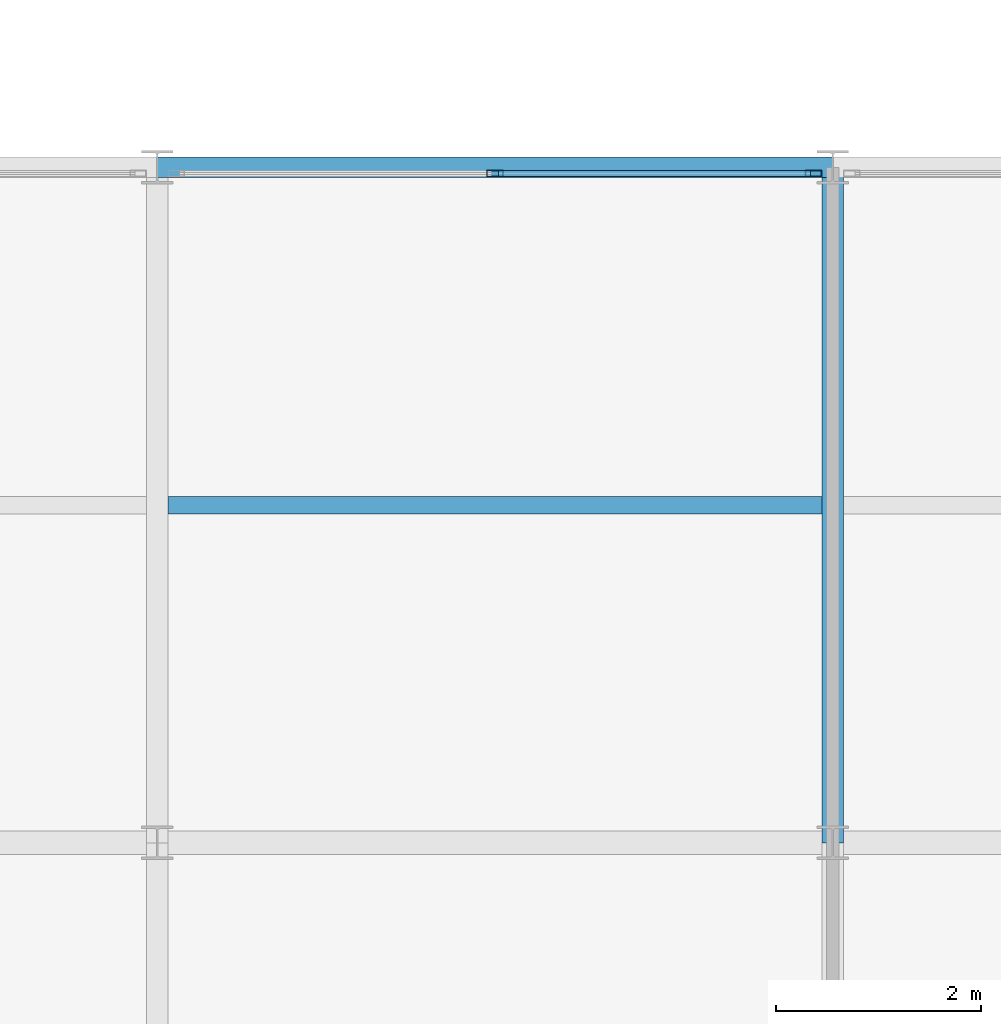
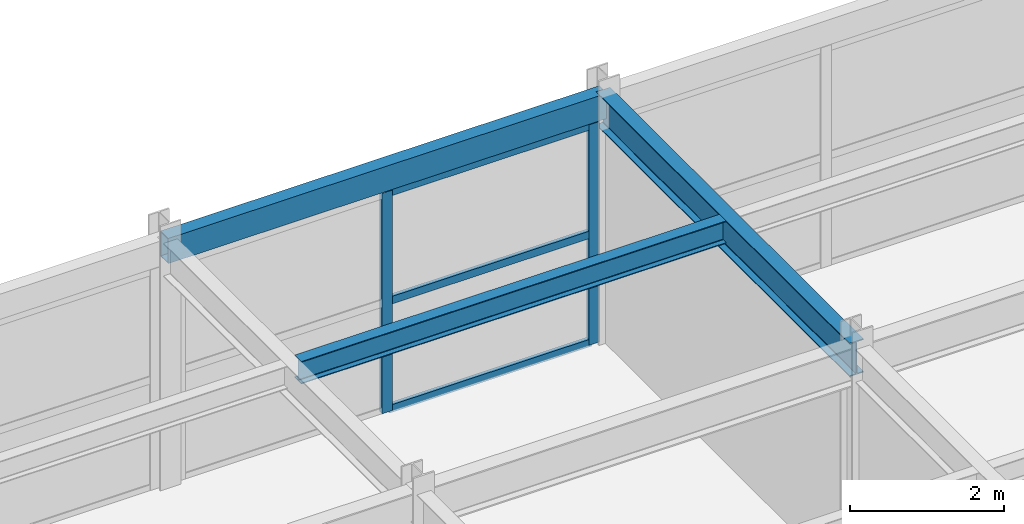
# One storey, part 87 of 134: 5 members, 3 beams, 1 element without a shape of its own.
"""IFC4 building model written with IfcOpenShell, lengths in metres."""

from ifc_helpers import new_model, si_unit, direction, frame, origin, origin_2d, place, context, subcontext, project, spatial, hollow_rectangle, i_section, extrude, material, material_profile, profile_set, type_object, element, aggregate, save


model = new_model("IFC4")

# Units and contexts
model_context = context("Model", 3, precision=1e-05, world=origin(), true_north=direction((0.0, 1.0)))
body_context = subcontext(model_context, "Body", "Model", "MODEL_VIEW")
ifc_project = project(units=[si_unit("LENGTHUNIT", "METRE"), si_unit("AREAUNIT", "SQUARE_METRE"), si_unit("VOLUMEUNIT", "CUBIC_METRE"), si_unit("PLANEANGLEUNIT", "RADIAN"), si_unit("MASSUNIT", "GRAM", prefix="KILO")], contexts=[model_context])

# Site, building, storey
site_placement = place(None, origin())
site = spatial("IfcSite", under=ifc_project, at=site_placement, CompositionType="ELEMENT")
building_placement = place(site_placement, origin())
building = spatial("IfcBuilding", under=site, at=building_placement, Name="Karori Crest Natural Sciences Institute", CompositionType="ELEMENT")
storey_placement = place(building_placement, frame((0.0, 0.0, 21.699951171875)))
storey = spatial("IfcBuildingStorey", under=building, at=storey_placement, Name="L05", CompositionType="ELEMENT", Elevation=21.699951171875)

# Beams
ifc_material_1 = material(Name="Structural steel AS/NZS 3679.1 Grade 350", Category="steel")
ifc_material_profile_1 = material_profile(ifc_material_1, i_section(OverallWidth=0.208984375, OverallDepth=0.532958984375, WebThickness=0.01025390625, FlangeThickness=0.015625, FilletRadius=0.013916015625, at=origin_2d()), Name="530UB92.4")
ifc_profile_set_1 = profile_set([ifc_material_profile_1], Name="Structural steel AS/NZS 3679.1 Grade 350")
beam_type_1 = type_object("IfcBeamType", Name="BT-05", PredefinedType="BEAM", material=ifc_profile_set_1)
beam_1_placement = place(storey_placement, frame((149.800048828125, 14.0, 3.653564453125), z_axis=(0.0, 1.0, 0.0), x_axis=(-1.0, 0.0, 0.0)))
element("IfcBeam", 1, at=beam_1_placement, inside=storey, type_object=beam_type_1, Name="Beam B-2511", PredefinedType="BEAM", context=body_context, shape_type="SweptSolid", body=[
    extrude(i_section(OverallWidth=0.208984375, OverallDepth=0.532958984375, WebThickness=0.01025390625, FlangeThickness=0.015625, FilletRadius=0.013916015625, at=origin_2d()), origin(), (0.0, 0.0, 1.0), 6.60009765625),
])
ifc_material_profile_2 = material_profile(ifc_material_1, i_section(OverallWidth=0.172119140625, OverallDepth=0.35888671875, WebThickness=0.008056640625, FlangeThickness=0.012939453125, FilletRadius=0.010986328125, at=origin_2d()), Name="360UB56.7")
ifc_profile_set_2 = profile_set([ifc_material_profile_2], Name="Structural steel AS/NZS 3679.1 Grade 350")
beam_type_2 = type_object("IfcBeamType", Name="BT-08", PredefinedType="BEAM", material=ifc_profile_set_2)
beam_2_placement = place(storey_placement, frame((143.304443359375, 17.300048828125, 3.740478515625), z_axis=(1.0, 0.0, 0.0), x_axis=(0.0, 1.0, 0.0)))
element("IfcBeam", 2, at=beam_2_placement, inside=storey, type_object=beam_type_2, Name="Beam B-2534", PredefinedType="BEAM", context=body_context, shape_type="SweptSolid", body=[
    extrude(i_section(OverallWidth=0.172119140625, OverallDepth=0.35888671875, WebThickness=0.008056640625, FlangeThickness=0.012939453125, FilletRadius=0.010986328125, at=origin_2d()), origin(), (0.0, 0.0, 1.0), 6.39111328125),
])
ifc_material_2 = material(Name="Hollow structural steel AS/NZS 1163 Grade C350", Category="steel")
ifc_material_profile_3 = material_profile(ifc_material_2, hollow_rectangle(XDim=0.199951171875, YDim=0.39990234375, WallThickness=0.012451171875, at=origin_2d()), Name="RHS400x200x12.5")
ifc_profile_set_3 = profile_set([ifc_material_profile_3], Name="Hollow structural steel AS/NZS 1163 Grade C350")
beam_type_3 = type_object("IfcBeamType", Name="BT-14", PredefinedType="SPANDREL", material=ifc_profile_set_3)
beam_3_placement = place(storey_placement, frame((143.199951171875, 20.60009765625, 3.719970703125), z_axis=(1.0, 0.0, 0.0), x_axis=(0.0, 1.0, 0.0)))
element("IfcBeam", 3, at=beam_3_placement, inside=storey, type_object=beam_type_3, Name="Beam B-2485", PredefinedType="SPANDREL", context=body_context, shape_type="SweptSolid", body=[
    extrude(hollow_rectangle(XDim=0.199951171875, YDim=0.39990234375, WallThickness=0.012451171875, at=origin_2d()), origin(), (0.0, 0.0, 1.0), 6.60009765625),
])

# Curtain wall, members
ifc_material_3 = material(Name="Anodised architectural aluminium 6063-T6", Category="aluminium")
curtain_wall_type = type_object("IfcCurtainWallType", Name="CWT-20", PredefinedType="NOTDEFINED", material=ifc_material_3)
curtain_wall_placement = place(storey_placement, origin())
curtain_wall = element("IfcCurtainWall", 4, at=curtain_wall_placement, inside=storey, type_object=curtain_wall_type, Name="Curtain wall CW-0346", PredefinedType="NOTDEFINED")
ifc_material_profile_4 = material_profile(ifc_material_3, hollow_rectangle(XDim=0.06494140625, YDim=0.159912109375, WallThickness=0.00390625, at=origin_2d()), Name="CWM160x65x4")
ifc_profile_set_4 = profile_set([ifc_material_profile_4], Name="Anodised architectural aluminium 6063-T6")
member_type_1 = type_object("IfcMemberType", Name="CWM-01", PredefinedType="MULLION", material=ifc_profile_set_4)
member_1_placement = place(storey_placement, frame((146.5, 20.5400390625, 0.0), z_axis=(0.0, 0.0, 1.0), x_axis=(0.0, 1.0, 0.0)))
member_1 = element("IfcMember", 5, at=member_1_placement, type_object=member_type_1, Name="CW-0346 mullion 2", PredefinedType="MULLION", context=body_context, shape_type="SweptSolid", body=[
    extrude(hollow_rectangle(XDim=0.06494140625, YDim=0.159912109375, WallThickness=0.00390625, at=origin_2d()), origin(), (0.0, 0.0, 1.0), 3.505126953125),
])
member_2_placement = place(storey_placement, frame((149.614013671875, 20.5400390625, 0.0), z_axis=(0.0, 0.0, 1.0), x_axis=(0.0, 1.0, 0.0)))
member_2 = element("IfcMember", 6, at=member_2_placement, type_object=member_type_1, Name="CW-0346 mullion 3", PredefinedType="MULLION", context=body_context, shape_type="SweptSolid", body=[
    extrude(hollow_rectangle(XDim=0.06494140625, YDim=0.159912109375, WallThickness=0.00390625, at=origin_2d()), origin(), (0.0, 0.0, 1.0), 3.505126953125),
])
ifc_material_profile_5 = material_profile(ifc_material_3, hollow_rectangle(XDim=0.06005859375, YDim=0.1201171875, WallThickness=0.00390625, at=origin_2d()), Name="CWT120x60x4")
ifc_profile_set_5 = profile_set([ifc_material_profile_5], Name="Anodised architectural aluminium 6063-T6")
member_type_2 = type_object("IfcMemberType", Name="CWT-TR1", PredefinedType="USERDEFINED", material=ifc_profile_set_5)
member_3_placement = place(storey_placement, frame((146.532470703125, 20.5400390625, 0.030029296875), z_axis=(1.0, 0.0, 0.0), x_axis=(0.0, 1.0, 0.0)))
member_3 = element("IfcMember", 7, at=member_3_placement, type_object=member_type_2, Name="CW-0346 transom 2.1", ObjectType="TRANSOM", PredefinedType="USERDEFINED", context=body_context, shape_type="SweptSolid", body=[
    extrude(hollow_rectangle(XDim=0.06005859375, YDim=0.1201171875, WallThickness=0.00390625, at=origin_2d()), origin(), (0.0, 0.0, 1.0), 3.049072265625),
])
member_4_placement = place(storey_placement, frame((146.532470703125, 20.5400390625, 1.75244140625), z_axis=(1.0, 0.0, 0.0), x_axis=(0.0, 1.0, 0.0)))
member_4 = element("IfcMember", 8, at=member_4_placement, type_object=member_type_2, Name="CW-0346 transom 2.2", ObjectType="TRANSOM", PredefinedType="USERDEFINED", context=body_context, shape_type="SweptSolid", body=[
    extrude(hollow_rectangle(XDim=0.06005859375, YDim=0.1201171875, WallThickness=0.00390625, at=origin_2d()), origin(), (0.0, 0.0, 1.0), 3.049072265625),
])
member_5_placement = place(storey_placement, frame((146.532470703125, 20.5400390625, 3.47509765625), z_axis=(1.0, 0.0, 0.0), x_axis=(0.0, 1.0, 0.0)))
member_5 = element("IfcMember", 9, at=member_5_placement, type_object=member_type_2, Name="CW-0346 transom 2.3", ObjectType="TRANSOM", PredefinedType="USERDEFINED", context=body_context, shape_type="SweptSolid", body=[
    extrude(hollow_rectangle(XDim=0.06005859375, YDim=0.1201171875, WallThickness=0.00390625, at=origin_2d()), origin(), (0.0, 0.0, 1.0), 3.049072265625),
])
aggregate(curtain_wall, [member_1, member_2, member_3, member_4, member_5])

save(model, "model.ifc")
